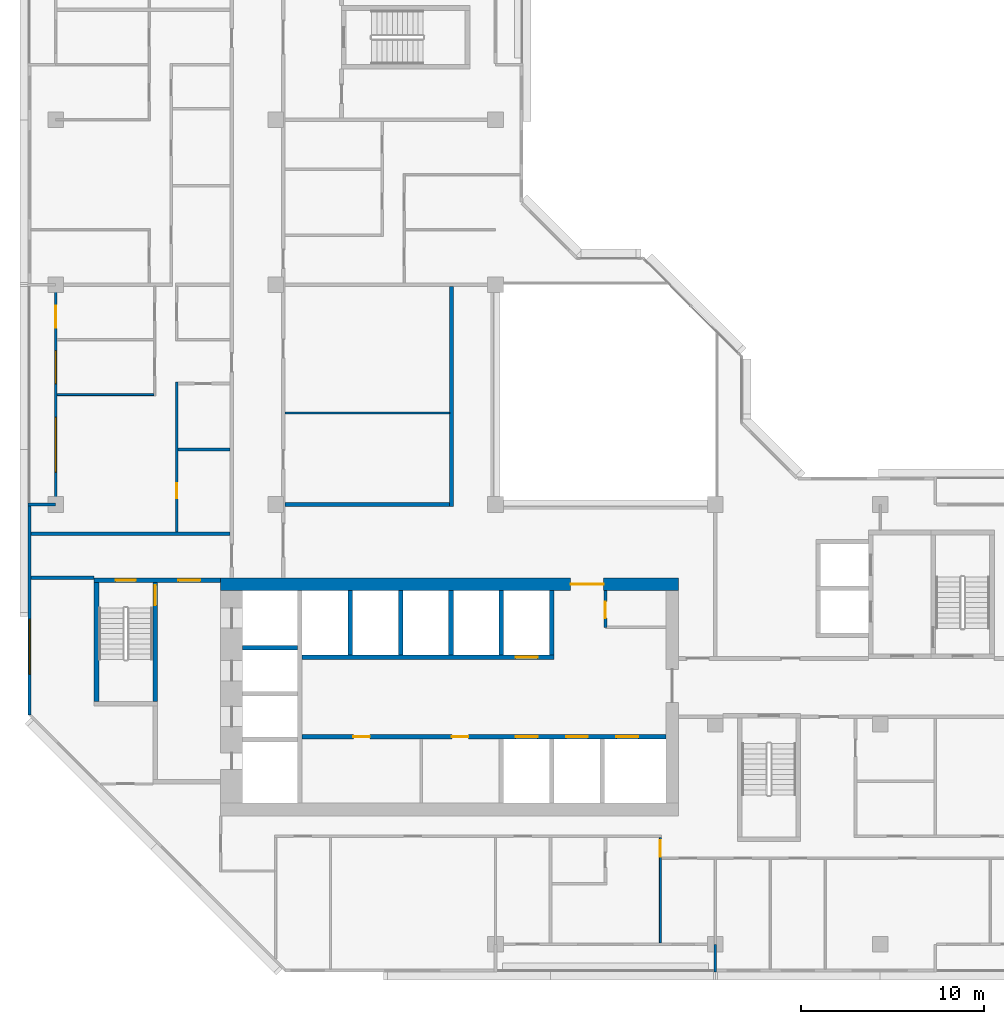
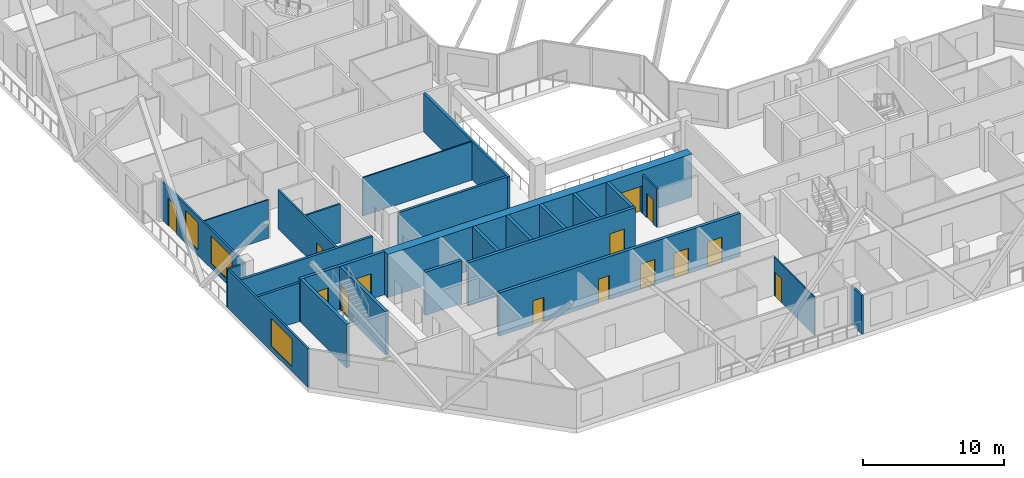
# One storey, part 5 of 14: 26 walls, 14 doors, 3 windows, 17 openings.
"""IFC4 building model written with IfcOpenShell, lengths in metres."""

from ifc_helpers import new_model, si_unit, direction, frame, frame_2d, origin, place, context, subcontext, project, spatial, rectangle, extrude, material, layer, layer_set, type_object, element, fill, save


model = new_model("IFC4")

# Units and contexts
model_context = context("Model", 3, precision=1e-05, world=origin(), true_north=direction((0.0, 1.0)))
body_context = subcontext(model_context, "Body", "Model", "MODEL_VIEW")
ifc_project = project(units=[si_unit("LENGTHUNIT", "METRE"), si_unit("AREAUNIT", "SQUARE_METRE"), si_unit("VOLUMEUNIT", "CUBIC_METRE"), si_unit("PLANEANGLEUNIT", "RADIAN"), si_unit("MASSUNIT", "GRAM", prefix="KILO")], contexts=[model_context])

# Site, building, storey
site_placement = place(None, origin())
site = spatial("IfcSite", under=ifc_project, at=site_placement, CompositionType="ELEMENT")
building_placement = place(site_placement, origin())
building = spatial("IfcBuilding", under=site, at=building_placement, Name="Chenar Terraces", CompositionType="ELEMENT")
storey_placement = place(building_placement, frame((0.0, 0.0, 234.14990234375)))
storey = spatial("IfcBuildingStorey", under=building, at=storey_placement, Name="L55", CompositionType="ELEMENT", Elevation=234.14990234375)

# Wall, opening, door
ifc_material_1 = material(Name="Gypsum board on steel studs", Category="steel")
ifc_layer_1 = layer(ifc_material_1, 0.14990234375)
ifc_layer_set_1 = layer_set([ifc_layer_1], Name="Gypsum board on steel studs")
wall_type_1 = type_object("IfcWallType", Name="Core partition 150 gypsum board", PredefinedType="PARTITIONING", material=ifc_layer_set_1)
wall_1_placement = place(storey_placement, frame((30.0, 17.300048828125, 0.0), z_axis=(0.0, 0.0, 1.0), x_axis=(0.0, 1.0, 0.0)))
wall_1 = element("IfcWall", 1, at=wall_1_placement, inside=storey, type_object=wall_type_1, Name="Core partition CP1 vestibule room west wall", PredefinedType="PARTITIONING", context=body_context, shape_type="SweptSolid", body=[
    extrude(rectangle(XDim=2.0, YDim=0.14990234375, at=frame_2d((1.0, 0.0))), origin(), (0.0, 0.0, 1.0), 3.35009765625),
])
opening_1_placement = place(wall_1_placement, frame((0.5, 0.0, 0.0)))
opening_1 = element("IfcOpeningElement", 2, at=opening_1_placement, cuts=wall_1, Name="Opening DL55-C14", PredefinedType="OPENING", context=body_context, shape_type="SweptSolid", body=[
    extrude(rectangle(XDim=0.89990234375, YDim=2.10009765625, at=frame_2d((0.449951171875, 1.050048828125))), frame((0.0, 0.0849609375, 0.0), z_axis=(0.0, -1.0, 0.0), x_axis=(1.0, 0.0, 0.0)), (0.0, 0.0, 1.0), 0.169921875),
])
ifc_material_2 = material(Name="Steel-framed fire-resisting door leaf", Category="steel")
door_type_1 = type_object("IfcDoorType", Name="Riser fire door FD60 900 x 2100", OperationType="SINGLE_SWING_LEFT", PredefinedType="DOOR", material=ifc_material_2)
door_1_placement = place(opening_1_placement, frame((0.89990234375, 0.0, 0.0), z_axis=(0.0, 0.0, 1.0), x_axis=(-1.0, 0.0, 0.0)))
door_1 = element("IfcDoor", 3, at=door_1_placement, inside=storey, type_object=door_type_1, Name="Core room door DL55-C14", OperationType="SINGLE_SWING_RIGHT", OverallHeight=2.10009765625, OverallWidth=0.89990234375, PredefinedType="DOOR", context=body_context, shape_type="SweptSolid", body=[
    extrude(rectangle(XDim=0.89990234375, YDim=2.10009765625, at=frame_2d((0.449951171875, 1.050048828125))), frame((0.0, 0.02490234375, 0.0), z_axis=(0.0, -1.0, 0.0), x_axis=(1.0, 0.0, 0.0)), (0.0, 0.0, 1.0), 0.050048828125),
])
fill(opening_1, door_1)

# Wall, openings, doors
ifc_material_3 = material(Name="Concrete C60/75", Category="concrete")
ifc_layer_2 = layer(ifc_material_3, 0.25)
ifc_layer_set_2 = layer_set([ifc_layer_2], Name="Concrete C60/75")
wall_type_2 = type_object("IfcWallType", Name="Core wall 250 Concrete C60/75", PredefinedType="SHEAR", material=ifc_layer_set_2)
wall_2_placement = place(storey_placement, frame((13.449951171875, 11.324951171875, 0.0), z_axis=(0.0, 0.0, 1.0), x_axis=(1.0, 0.0, 0.0)))
wall_2 = element("IfcWall", 4, at=wall_2_placement, inside=storey, type_object=wall_type_2, Name="Core wall SF L55", PredefinedType="SHEAR", context=body_context, shape_type="SweptSolid", body=[
    extrude(rectangle(XDim=19.85009765625, YDim=0.25, at=frame_2d((9.925048828125, 0.0))), origin(), (0.0, 0.0, 1.0), 3.75),
])
opening_2_placement = place(wall_2_placement, frame((11.64990234375, 0.0, 0.0)))
opening_2 = element("IfcOpeningElement", 5, at=opening_2_placement, cuts=wall_2, Name="Opening DL55-LD1", PredefinedType="OPENING", context=body_context, shape_type="SweptSolid", body=[
    extrude(rectangle(XDim=1.199951171875, YDim=2.199951171875, at=frame_2d((0.60009765625, 1.10009765625))), frame((0.0, 0.135009765625, 0.0), z_axis=(0.0, -1.0, 0.0), x_axis=(1.0, 0.0, 0.0)), (0.0, 0.0, 1.0), 0.27001953125),
])
opening_3_placement = place(wall_2_placement, frame((14.39990234375, 0.0, 0.0)))
opening_3 = element("IfcOpeningElement", 6, at=opening_3_placement, cuts=wall_2, Name="Opening DL55-LD2", PredefinedType="OPENING", context=body_context, shape_type="SweptSolid", body=[
    extrude(rectangle(XDim=1.199951171875, YDim=2.199951171875, at=frame_2d((0.60009765625, 1.10009765625))), frame((0.0, 0.135009765625, 0.0), z_axis=(0.0, -1.0, 0.0), x_axis=(1.0, 0.0, 0.0)), (0.0, 0.0, 1.0), 0.27001953125),
])
opening_4_placement = place(wall_2_placement, frame((17.14990234375, 0.0, 0.0)))
opening_4 = element("IfcOpeningElement", 7, at=opening_4_placement, cuts=wall_2, Name="Opening DL55-LD3", PredefinedType="OPENING", context=body_context, shape_type="SweptSolid", body=[
    extrude(rectangle(XDim=1.199951171875, YDim=2.199951171875, at=frame_2d((0.60009765625, 1.10009765625))), frame((0.0, 0.135009765625, 0.0), z_axis=(0.0, -1.0, 0.0), x_axis=(1.0, 0.0, 0.0)), (0.0, 0.0, 1.0), 0.27001953125),
])
opening_5_placement = place(wall_2_placement, frame((2.800048828125, 0.0, 0.0)))
opening_5 = element("IfcOpeningElement", 8, at=opening_5_placement, cuts=wall_2, Name="Opening DL55-C12", PredefinedType="OPENING", context=body_context, shape_type="SweptSolid", body=[
    extrude(rectangle(XDim=0.89990234375, YDim=2.10009765625, at=frame_2d((0.449951171875, 1.050048828125))), frame((0.0, 0.135009765625, 0.0), z_axis=(0.0, -1.0, 0.0), x_axis=(1.0, 0.0, 0.0)), (0.0, 0.0, 1.0), 0.27001953125),
])
opening_6_placement = place(wall_2_placement, frame((8.175048828125, 0.0, 0.0)))
opening_6 = element("IfcOpeningElement", 9, at=opening_6_placement, cuts=wall_2, Name="Opening DL55-C13", PredefinedType="OPENING", context=body_context, shape_type="SweptSolid", body=[
    extrude(rectangle(XDim=0.89990234375, YDim=2.10009765625, at=frame_2d((0.449951171875, 1.050048828125))), frame((0.0, 0.135009765625, 0.0), z_axis=(0.0, -1.0, 0.0), x_axis=(1.0, 0.0, 0.0)), (0.0, 0.0, 1.0), 0.27001953125),
])
ifc_material_4 = material(Name="Stainless steel", Category="steel")
door_type_2 = type_object("IfcDoorType", Name="Lift landing door 1200 x 2200 sliding", OperationType="DOUBLE_DOOR_SLIDING", PredefinedType="DOOR", material=ifc_material_4)
door_2_placement = place(opening_2_placement, origin())
door_2 = element("IfcDoor", 10, at=door_2_placement, inside=storey, type_object=door_type_2, Name="Landing door M1", OperationType="DOUBLE_DOOR_SLIDING", OverallHeight=2.199951171875, OverallWidth=1.199951171875, PredefinedType="DOOR", context=body_context, shape_type="SweptSolid", body=[
    extrude(rectangle(XDim=1.199951171875, YDim=2.199951171875, at=frame_2d((0.60009765625, 1.10009765625))), frame((0.0, 0.02490234375, 0.0), z_axis=(0.0, -1.0, 0.0), x_axis=(1.0, 0.0, 0.0)), (0.0, 0.0, 1.0), 0.050048828125),
])
fill(opening_2, door_2)
door_3_placement = place(opening_3_placement, origin())
door_3 = element("IfcDoor", 11, at=door_3_placement, inside=storey, type_object=door_type_2, Name="Landing door M2", OperationType="DOUBLE_DOOR_SLIDING", OverallHeight=2.199951171875, OverallWidth=1.199951171875, PredefinedType="DOOR", context=body_context, shape_type="SweptSolid", body=[
    extrude(rectangle(XDim=1.199951171875, YDim=2.199951171875, at=frame_2d((0.60009765625, 1.10009765625))), frame((0.0, 0.02490234375, 0.0), z_axis=(0.0, -1.0, 0.0), x_axis=(1.0, 0.0, 0.0)), (0.0, 0.0, 1.0), 0.050048828125),
])
fill(opening_3, door_3)
door_4_placement = place(opening_4_placement, origin())
door_4 = element("IfcDoor", 12, at=door_4_placement, inside=storey, type_object=door_type_2, Name="Landing door M3", OperationType="DOUBLE_DOOR_SLIDING", OverallHeight=2.199951171875, OverallWidth=1.199951171875, PredefinedType="DOOR", context=body_context, shape_type="SweptSolid", body=[
    extrude(rectangle(XDim=1.199951171875, YDim=2.199951171875, at=frame_2d((0.60009765625, 1.10009765625))), frame((0.0, 0.02490234375, 0.0), z_axis=(0.0, -1.0, 0.0), x_axis=(1.0, 0.0, 0.0)), (0.0, 0.0, 1.0), 0.050048828125),
])
fill(opening_4, door_4)
door_5_placement = place(opening_5_placement, frame((0.89990234375, 0.0, 0.0), z_axis=(0.0, 0.0, 1.0), x_axis=(-1.0, 0.0, 0.0)))
door_5 = element("IfcDoor", 13, at=door_5_placement, inside=storey, type_object=door_type_1, Name="Core room door DL55-C12", OperationType="SINGLE_SWING_LEFT", OverallHeight=2.10009765625, OverallWidth=0.89990234375, PredefinedType="DOOR", context=body_context, shape_type="SweptSolid", body=[
    extrude(rectangle(XDim=0.89990234375, YDim=2.10009765625, at=frame_2d((0.449951171875, 1.050048828125))), frame((0.0, 0.02490234375, 0.0), z_axis=(0.0, -1.0, 0.0), x_axis=(1.0, 0.0, 0.0)), (0.0, 0.0, 1.0), 0.050048828125),
])
fill(opening_5, door_5)
door_6_placement = place(opening_6_placement, frame((0.89990234375, 0.0, 0.0), z_axis=(0.0, 0.0, 1.0), x_axis=(-1.0, 0.0, 0.0)))
door_6 = element("IfcDoor", 14, at=door_6_placement, inside=storey, type_object=door_type_1, Name="Core room door DL55-C13", OperationType="SINGLE_SWING_LEFT", OverallHeight=2.10009765625, OverallWidth=0.89990234375, PredefinedType="DOOR", context=body_context, shape_type="SweptSolid", body=[
    extrude(rectangle(XDim=0.89990234375, YDim=2.10009765625, at=frame_2d((0.449951171875, 1.050048828125))), frame((0.0, 0.02490234375, 0.0), z_axis=(0.0, -1.0, 0.0), x_axis=(1.0, 0.0, 0.0)), (0.0, 0.0, 1.0), 0.050048828125),
])
fill(opening_6, door_6)

# Wall, opening, door
wall_3_placement = place(storey_placement, frame((13.449951171875, 15.675048828125, 0.0), z_axis=(0.0, 0.0, 1.0), x_axis=(1.0, 0.0, 0.0)))
wall_3 = element("IfcWall", 15, at=wall_3_placement, inside=storey, type_object=wall_type_2, Name="Core wall NF L55", PredefinedType="SHEAR", context=body_context, shape_type="SweptSolid", body=[
    extrude(rectangle(XDim=13.75, YDim=0.25, at=frame_2d((6.875, 0.0))), origin(), (0.0, 0.0, 1.0), 3.75),
])
opening_7_placement = place(wall_3_placement, frame((11.64990234375, 0.0, 0.0)))
opening_7 = element("IfcOpeningElement", 16, at=opening_7_placement, cuts=wall_3, Name="Opening DL55-LD4", PredefinedType="OPENING", context=body_context, shape_type="SweptSolid", body=[
    extrude(rectangle(XDim=1.199951171875, YDim=2.199951171875, at=frame_2d((0.60009765625, 1.10009765625))), frame((0.0, 0.135009765625, 0.0), z_axis=(0.0, -1.0, 0.0), x_axis=(1.0, 0.0, 0.0)), (0.0, 0.0, 1.0), 0.27001953125),
])
door_7_placement = place(opening_7_placement, origin())
door_7 = element("IfcDoor", 17, at=door_7_placement, inside=storey, type_object=door_type_2, Name="Landing door M4", OperationType="DOUBLE_DOOR_SLIDING", OverallHeight=2.199951171875, OverallWidth=1.199951171875, PredefinedType="DOOR", context=body_context, shape_type="SweptSolid", body=[
    extrude(rectangle(XDim=1.199951171875, YDim=2.199951171875, at=frame_2d((0.60009765625, 1.10009765625))), frame((0.0, 0.02490234375, 0.0), z_axis=(0.0, -1.0, 0.0), x_axis=(1.0, 0.0, 0.0)), (0.0, 0.0, 1.0), 0.050048828125),
])
fill(opening_7, door_7)

# Walls
wall_4_placement = place(storey_placement, frame((10.199951171875, 16.175048828125, 0.0), z_axis=(0.0, 0.0, 1.0), x_axis=(1.0, 0.0, 0.0)))
element("IfcWall", 18, at=wall_4_placement, inside=storey, type_object=wall_type_2, Name="Core wall HW2 L55", PredefinedType="SHEAR", context=body_context, shape_type="SweptSolid", body=[
    extrude(rectangle(XDim=3.0, YDim=0.25, at=frame_2d((1.5, 0.0))), origin(), (0.0, 0.0, 1.0), 3.75),
])
for number, where, z_axis, x_axis, name in (
    (19, (16.074951171875, 15.800048828125, 0.0), (0.0, 0.0, 1.0), (0.0, 1.0, 0.0), "Core wall NS0 L55"),
    (20, (18.824951171875, 15.800048828125, 0.0), (0.0, 0.0, 1.0), (0.0, 1.0, 0.0), "Core wall NS1 L55"),
    (21, (21.574951171875, 15.800048828125, 0.0), (0.0, 0.0, 1.0), (0.0, 1.0, 0.0), "Core wall NS2 L55"),
    (22, (24.324951171875, 15.800048828125, 0.0), (0.0, 0.0, 1.0), (0.0, 1.0, 0.0), "Core wall NS3 L55"),
    (23, (27.074951171875, 15.800048828125, 0.0), (0.0, 0.0, 1.0), (0.0, 1.0, 0.0), "Core wall NE L55"),
):
    element("IfcWall", number, at=place(storey_placement, frame(where, z_axis=z_axis, x_axis=x_axis)), inside=storey, type_object=wall_type_2, Name=name, PredefinedType="SHEAR", context=body_context, shape_type="SweptSolid", body=[
        extrude(rectangle(XDim=3.5, YDim=0.25, at=frame_2d((1.75, 0.0))), origin(), (0.0, 0.0, 1.0), 3.75),
    ])

# Wall, openings, doors
wall_5_placement = place(storey_placement, frame((2.10009765625, 19.875, 0.0), z_axis=(0.0, 0.0, 1.0), x_axis=(1.0, 0.0, 0.0)))
wall_5 = element("IfcWall", 24, at=wall_5_placement, inside=storey, type_object=wall_type_2, Name="Core wall A_N L55", PredefinedType="SHEAR", context=body_context, shape_type="SweptSolid", body=[
    extrude(rectangle(XDim=6.89990234375, YDim=0.25, at=frame_2d((3.449951171875, 0.0))), origin(), (0.0, 0.0, 1.0), 3.75),
])
opening_8_placement = place(wall_5_placement, frame((1.175048828125, 0.0, 0.0)))
opening_8 = element("IfcOpeningElement", 25, at=opening_8_placement, cuts=wall_5, Name="Opening DL55-C5", PredefinedType="OPENING", context=body_context, shape_type="SweptSolid", body=[
    extrude(rectangle(XDim=1.10009765625, YDim=2.199951171875, at=frame_2d((0.550048828125, 1.10009765625))), frame((0.0, 0.135009765625, 0.0), z_axis=(0.0, -1.0, 0.0), x_axis=(1.0, 0.0, 0.0)), (0.0, 0.0, 1.0), 0.27001953125),
])
opening_9_placement = place(wall_5_placement, frame((4.60009765625, 0.0, 0.0)))
opening_9 = element("IfcOpeningElement", 26, at=opening_9_placement, cuts=wall_5, Name="Opening DL55-C6", PredefinedType="OPENING", context=body_context, shape_type="SweptSolid", body=[
    extrude(rectangle(XDim=1.199951171875, YDim=2.199951171875, at=frame_2d((0.60009765625, 1.10009765625))), frame((0.0, 0.135009765625, 0.0), z_axis=(0.0, -1.0, 0.0), x_axis=(1.0, 0.0, 0.0)), (0.0, 0.0, 1.0), 0.27001953125),
])
ifc_material_5 = material(Name="Steel-framed fire-resisting door leaf", Category="steel")
door_type_3 = type_object("IfcDoorType", Name="Lobby fire door FD60 1200 x 2200", OperationType="SINGLE_SWING_LEFT", PredefinedType="DOOR", material=ifc_material_5)
door_8_placement = place(opening_9_placement, frame((1.199951171875, 0.0, 0.0), z_axis=(0.0, 0.0, 1.0), x_axis=(-1.0, 0.0, 0.0)))
door_8 = element("IfcDoor", 27, at=door_8_placement, inside=storey, type_object=door_type_3, Name="Core door DL55-C6", OperationType="SINGLE_SWING_LEFT", OverallHeight=2.199951171875, OverallWidth=1.199951171875, PredefinedType="DOOR", context=body_context, shape_type="SweptSolid", body=[
    extrude(rectangle(XDim=1.199951171875, YDim=2.199951171875, at=frame_2d((0.60009765625, 1.10009765625))), frame((0.0, 0.02490234375, 0.0), z_axis=(0.0, -1.0, 0.0), x_axis=(1.0, 0.0, 0.0)), (0.0, 0.0, 1.0), 0.050048828125),
])
fill(opening_9, door_8)
ifc_material_6 = material(Name="Steel-framed fire-resisting door leaf", Category="steel")
door_type_4 = type_object("IfcDoorType", Name="Stair fire door FD60 1100 x 2200", OperationType="SINGLE_SWING_LEFT", PredefinedType="DOOR", material=ifc_material_6)
door_9_placement = place(opening_8_placement, origin())
door_9 = element("IfcDoor", 28, at=door_9_placement, inside=storey, type_object=door_type_4, Name="Stair door DL55-C5", OperationType="SINGLE_SWING_LEFT", OverallHeight=2.199951171875, OverallWidth=1.10009765625, PredefinedType="DOOR", context=body_context, shape_type="SweptSolid", body=[
    extrude(rectangle(XDim=1.10009765625, YDim=2.199951171875, at=frame_2d((0.550048828125, 1.10009765625))), frame((0.0, 0.02490234375, 0.0), z_axis=(0.0, -1.0, 0.0), x_axis=(1.0, 0.0, 0.0)), (0.0, 0.0, 1.0), 0.050048828125),
])
fill(opening_8, door_9)

# Wall
wall_6_placement = place(storey_placement, frame((2.22509765625, 13.25, 0.0), z_axis=(0.0, 0.0, 1.0), x_axis=(0.0, 1.0, 0.0)))
element("IfcWall", 29, at=wall_6_placement, inside=storey, type_object=wall_type_2, Name="Core wall ST1_W L55", PredefinedType="SHEAR", context=body_context, shape_type="SweptSolid", body=[
    extrude(rectangle(XDim=6.5, YDim=0.25, at=frame_2d((3.25, 0.0))), origin(), (0.0, 0.0, 1.0), 3.75),
])

# Wall, opening, door
wall_7_placement = place(storey_placement, frame((5.425048828125, 13.25, 0.0), z_axis=(0.0, 0.0, 1.0), x_axis=(0.0, 1.0, 0.0)))
wall_7 = element("IfcWall", 30, at=wall_7_placement, inside=storey, type_object=wall_type_2, Name="Core wall ST1_E L55", PredefinedType="SHEAR", context=body_context, shape_type="SweptSolid", body=[
    extrude(rectangle(XDim=6.5, YDim=0.25, at=frame_2d((3.25, 0.0))), origin(), (0.0, 0.0, 1.0), 3.75),
])
opening_10_placement = place(wall_7_placement, frame((5.25, 0.0, 0.0)))
opening_10 = element("IfcOpeningElement", 31, at=opening_10_placement, cuts=wall_7, Name="Opening DL55-C3", PredefinedType="OPENING", context=body_context, shape_type="SweptSolid", body=[
    extrude(rectangle(XDim=1.10009765625, YDim=2.199951171875, at=frame_2d((0.550048828125, 1.10009765625))), frame((0.0, 0.135009765625, 0.0), z_axis=(0.0, -1.0, 0.0), x_axis=(1.0, 0.0, 0.0)), (0.0, 0.0, 1.0), 0.27001953125),
])
door_10_placement = place(opening_10_placement, origin())
door_10 = element("IfcDoor", 32, at=door_10_placement, inside=storey, type_object=door_type_4, Name="Stair door DL55-C3", OperationType="SINGLE_SWING_RIGHT", OverallHeight=2.199951171875, OverallWidth=1.10009765625, PredefinedType="DOOR", context=body_context, shape_type="SweptSolid", body=[
    extrude(rectangle(XDim=1.10009765625, YDim=2.199951171875, at=frame_2d((0.550048828125, 1.10009765625))), frame((0.0, 0.02490234375, 0.0), z_axis=(0.0, -1.0, 0.0), x_axis=(1.0, 0.0, 0.0)), (0.0, 0.0, 1.0), 0.050048828125),
])
fill(opening_10, door_10)

ifc_material_7 = material(Name="Concrete C60/75", Category="concrete")
ifc_layer_3 = layer(ifc_material_7, 0.699951171875)
ifc_layer_set_3 = layer_set([ifc_layer_3], Name="Concrete C60/75")
wall_type_3 = type_object("IfcWallType", Name="Core wall 700 Concrete C60/75", PredefinedType="SHEAR", material=ifc_layer_set_3)
wall_8_placement = place(storey_placement, frame((9.0, 19.64990234375, 0.0), z_axis=(0.0, 0.0, 1.0), x_axis=(1.0, 0.0, 0.0)))
wall_8 = element("IfcWall", 33, at=wall_8_placement, inside=storey, type_object=wall_type_3, Name="Core wall N L55", PredefinedType="SHEAR", context=body_context, shape_type="SweptSolid", body=[
    extrude(rectangle(XDim=25.0, YDim=0.699951171875, at=frame_2d((12.5, 0.0))), origin(), (0.0, 0.0, 1.0), 3.75),
])
opening_11_placement = place(wall_8_placement, frame((19.10009765625, 0.0, 0.0)))
opening_11 = element("IfcOpeningElement", 34, at=opening_11_placement, cuts=wall_8, Name="Opening DL55-C2", PredefinedType="OPENING", context=body_context, shape_type="SweptSolid", body=[
    extrude(rectangle(XDim=1.800048828125, YDim=2.39990234375, at=frame_2d((0.89990234375, 1.199951171875))), frame((0.0, 0.35986328125, 0.0), z_axis=(0.0, -1.0, 0.0), x_axis=(1.0, 0.0, 0.0)), (0.0, 0.0, 1.0), 0.719970703125),
])
ifc_material_8 = material(Name="Steel-framed fire-resisting door leaf", Category="steel")
door_type_5 = type_object("IfcDoorType", Name="Core entrance double fire door FD60 1800 x 2400", OperationType="DOUBLE_DOOR_SINGLE_SWING", PredefinedType="DOOR", material=ifc_material_8)
door_11_placement = place(opening_11_placement, frame((1.800048828125, 0.0, 0.0), z_axis=(0.0, 0.0, 1.0), x_axis=(-1.0, 0.0, 0.0)))
door_11 = element("IfcDoor", 35, at=door_11_placement, inside=storey, type_object=door_type_5, Name="Core door DL55-C2", OperationType="DOUBLE_DOOR_SINGLE_SWING", OverallHeight=2.39990234375, OverallWidth=1.800048828125, PredefinedType="DOOR", context=body_context, shape_type="SweptSolid", body=[
    extrude(rectangle(XDim=1.800048828125, YDim=2.39990234375, at=frame_2d((0.89990234375, 1.199951171875))), frame((0.0, 0.02490234375, 0.0), z_axis=(0.0, -1.0, 0.0), x_axis=(1.0, 0.0, 0.0)), (0.0, 0.0, 1.0), 0.050048828125),
])
fill(opening_11, door_11)

# Walls
ifc_material_9 = material(Name="Gypsum board on steel studs with fire boards", Category="steel")
ifc_layer_4 = layer(ifc_material_9, 0.199951171875)
ifc_layer_set_4 = layer_set([ifc_layer_4], Name="Gypsum board on steel studs with fire boards")
wall_type_4 = type_object("IfcWallType", Name="Corridor wall 200", PredefinedType="PARTITIONING", material=ifc_layer_set_4)
wall_9_placement = place(storey_placement, frame((-1.35009765625, 20.0, 0.0), z_axis=(0.0, 0.0, 1.0), x_axis=(1.0, 0.0, 0.0)))
element("IfcWall", 36, at=wall_9_placement, inside=storey, type_object=wall_type_4, Name="Partition L55-001", PredefinedType="PARTITIONING", context=body_context, shape_type="SweptSolid", body=[
    extrude(rectangle(XDim=3.4501953125, YDim=0.199951171875, at=frame_2d((1.72509765625, 0.0))), origin(), (0.0, 0.0, 1.0), 3.35009765625),
])
wall_10_placement = place(storey_placement, frame((-1.35009765625, 22.39990234375, 0.0), z_axis=(0.0, 0.0, 1.0), x_axis=(1.0, 0.0, 0.0)))
element("IfcWall", 37, at=wall_10_placement, inside=storey, type_object=wall_type_4, Name="Partition L55-002", PredefinedType="PARTITIONING", context=body_context, shape_type="SweptSolid", body=[
    extrude(rectangle(XDim=10.85009765625, YDim=0.199951171875, at=frame_2d((5.425048828125, 0.0))), origin(), (0.0, 0.0, 1.0), 3.35009765625),
])
wall_11_placement = place(storey_placement, frame((12.52490234375, 24.0, 0.0), z_axis=(0.0, 0.0, 1.0), x_axis=(1.0, 0.0, 0.0)))
element("IfcWall", 38, at=wall_11_placement, inside=storey, type_object=wall_type_4, Name="Partition L55-037", PredefinedType="PARTITIONING", context=body_context, shape_type="SweptSolid", body=[
    extrude(rectangle(XDim=8.97509765625, YDim=0.199951171875, at=frame_2d((4.487548828125, 0.0))), origin(), (0.0, 0.0, 1.0), 3.35009765625),
])
wall_12_placement = place(storey_placement, frame((21.60009765625, 23.89990234375, 0.0), z_axis=(0.0, 0.0, 1.0), x_axis=(0.0, 1.0, 0.0)))
element("IfcWall", 39, at=wall_12_placement, inside=storey, type_object=wall_type_4, Name="Partition L55-058", PredefinedType="PARTITIONING", context=body_context, shape_type="SweptSolid", body=[
    extrude(rectangle(XDim=12.0, YDim=0.199951171875, at=frame_2d((6.0, 0.0))), origin(), (0.0, 0.0, 1.0), 3.35009765625),
])

# Wall, opening, window
ifc_material_10 = material(Name="Aluminium framed glazing", Category="aluminium")
ifc_layer_5 = layer(ifc_material_10, 0.14990234375)
ifc_layer_set_5 = layer_set([ifc_layer_5], Name="Aluminium framed glazing")
wall_type_5 = type_object("IfcWallType", Name="Glazed flush facade wall 150", PredefinedType="SOLIDWALL", material=ifc_layer_set_5)
wall_13_placement = place(storey_placement, frame((-1.425048828125, 23.925048828125, 0.0), z_axis=(0.0, 0.0, 1.0), x_axis=(0.0, -1.0, 0.0)))
wall_13 = element("IfcWall", 40, at=wall_13_placement, inside=storey, type_object=wall_type_5, Name="Glazed flush facade wall", PredefinedType="SOLIDWALL", context=body_context, shape_type="SweptSolid", body=[
    extrude(rectangle(XDim=11.425048828125, YDim=0.14990234375, at=frame_2d((5.71240234375, 0.0))), origin(), (0.0, 0.0, 1.0), 3.35009765625),
])
opening_12_placement = place(wall_13_placement, frame((6.175048828125, 0.0, 0.449951171875)))
opening_12 = element("IfcOpeningElement", 41, at=opening_12_placement, cuts=wall_13, Name="Opening W300x240", PredefinedType="OPENING", context=body_context, shape_type="SweptSolid", body=[
    extrude(rectangle(XDim=3.0, YDim=2.39990234375, at=frame_2d((1.5, 1.199951171875))), frame((0.0, 0.0849609375, 0.0), z_axis=(0.0, -1.0, 0.0), x_axis=(1.0, 0.0, 0.0)), (0.0, 0.0, 1.0), 0.169921875),
])
ifc_material_11 = material(Name="Low emissivity double glazing, aluminium frame", Category="aluminium")
window_type_1 = type_object("IfcWindowType", Name="Fixed light 3000 x 2400", PartitioningType="SINGLE_PANEL", PredefinedType="WINDOW", material=ifc_material_11)
window_1_placement = place(opening_12_placement, origin())
window_1 = element("IfcWindow", 42, at=window_1_placement, inside=storey, type_object=window_type_1, Name="Window", OverallHeight=2.39990234375, OverallWidth=3.0, PartitioningType="SINGLE_PANEL", PredefinedType="WINDOW", context=body_context, shape_type="SweptSolid", body=[
    extrude(rectangle(XDim=3.0, YDim=2.39990234375, at=frame_2d((1.5, 1.199951171875))), frame((0.0, 0.030029296875, 0.0), z_axis=(0.0, -1.0, 0.0), x_axis=(1.0, 0.0, 0.0)), (0.0, 0.0, 1.0), 0.06005859375),
])
fill(opening_12, window_1)

# Wall, openings, windows, door
ifc_material_12 = material(Name="Aluminium framed glazing", Category="aluminium")
ifc_layer_6 = layer(ifc_material_12, 0.14990234375)
ifc_layer_set_6 = layer_set([ifc_layer_6], Name="Aluminium framed glazing")
wall_type_6 = type_object("IfcWallType", Name="Glazed loggia back wall 150", PredefinedType="SOLIDWALL", material=ifc_layer_set_6)
wall_14_placement = place(storey_placement, frame((0.0, 35.925048828125, 0.0), z_axis=(0.0, 0.0, 1.0), x_axis=(0.0, -1.0, 0.0)))
wall_14 = element("IfcWall", 43, at=wall_14_placement, inside=storey, type_object=wall_type_6, Name="Glazed loggia back wall", PredefinedType="SOLIDWALL", context=body_context, shape_type="SweptSolid", body=[
    extrude(rectangle(XDim=11.85009765625, YDim=0.14990234375, at=frame_2d((5.925048828125, 0.0))), origin(), (0.0, 0.0, 1.0), 3.35009765625),
])
opening_13_placement = place(wall_14_placement, frame((1.08740234375, 0.0, 0.0)))
opening_13 = element("IfcOpeningElement", 44, at=opening_13_placement, cuts=wall_14, Name="Opening DL55-G5", PredefinedType="OPENING", context=body_context, shape_type="SweptSolid", body=[
    extrude(rectangle(XDim=1.199951171875, YDim=2.39990234375, at=frame_2d((0.60009765625, 1.199951171875))), frame((0.0, 0.0849609375, 0.0), z_axis=(0.0, -1.0, 0.0), x_axis=(1.0, 0.0, 0.0)), (0.0, 0.0, 1.0), 0.169921875),
])
opening_14_placement = place(wall_14_placement, frame((3.52490234375, 0.0, 0.449951171875)))
opening_14 = element("IfcOpeningElement", 45, at=opening_14_placement, cuts=wall_14, Name="Opening W180x240", PredefinedType="OPENING", context=body_context, shape_type="SweptSolid", body=[
    extrude(rectangle(XDim=1.800048828125, YDim=2.39990234375, at=frame_2d((0.89990234375, 1.199951171875))), frame((0.0, 0.0849609375, 0.0), z_axis=(0.0, -1.0, 0.0), x_axis=(1.0, 0.0, 0.0)), (0.0, 0.0, 1.0), 0.169921875),
])
opening_15_placement = place(wall_14_placement, frame((7.16259765625, 0.0, 0.449951171875)))
opening_15 = element("IfcOpeningElement", 46, at=opening_15_placement, cuts=wall_14, Name="Opening W300x240", PredefinedType="OPENING", context=body_context, shape_type="SweptSolid", body=[
    extrude(rectangle(XDim=3.0, YDim=2.39990234375, at=frame_2d((1.5, 1.199951171875))), frame((0.0, 0.0849609375, 0.0), z_axis=(0.0, -1.0, 0.0), x_axis=(1.0, 0.0, 0.0)), (0.0, 0.0, 1.0), 0.169921875),
])
ifc_material_13 = material(Name="Low emissivity double glazing, aluminium frame", Category="aluminium")
window_type_2 = type_object("IfcWindowType", Name="Fixed light 1800 x 2400", PartitioningType="SINGLE_PANEL", PredefinedType="WINDOW", material=ifc_material_13)
window_2_placement = place(opening_14_placement, origin())
window_2 = element("IfcWindow", 47, at=window_2_placement, inside=storey, type_object=window_type_2, Name="Window", OverallHeight=2.39990234375, OverallWidth=1.800048828125, PartitioningType="SINGLE_PANEL", PredefinedType="WINDOW", context=body_context, shape_type="SweptSolid", body=[
    extrude(rectangle(XDim=1.800048828125, YDim=2.39990234375, at=frame_2d((0.89990234375, 1.199951171875))), frame((0.0, 0.030029296875, 0.0), z_axis=(0.0, -1.0, 0.0), x_axis=(1.0, 0.0, 0.0)), (0.0, 0.0, 1.0), 0.06005859375),
])
fill(opening_14, window_2)
window_3_placement = place(opening_15_placement, origin())
window_3 = element("IfcWindow", 48, at=window_3_placement, inside=storey, type_object=window_type_1, Name="Window", OverallHeight=2.39990234375, OverallWidth=3.0, PartitioningType="SINGLE_PANEL", PredefinedType="WINDOW", context=body_context, shape_type="SweptSolid", body=[
    extrude(rectangle(XDim=3.0, YDim=2.39990234375, at=frame_2d((1.5, 1.199951171875))), frame((0.0, 0.030029296875, 0.0), z_axis=(0.0, -1.0, 0.0), x_axis=(1.0, 0.0, 0.0)), (0.0, 0.0, 1.0), 0.06005859375),
])
fill(opening_15, window_3)
ifc_material_14 = material(Name="Low emissivity double glazing, aluminium frame", Category="aluminium")
door_type_6 = type_object("IfcDoorType", Name="Loggia glazed double door 1200 x 2400", OperationType="DOUBLE_DOOR_SINGLE_SWING", PredefinedType="DOOR", material=ifc_material_14)
door_12_placement = place(opening_13_placement, frame((1.199951171875, 0.0, 0.0), z_axis=(0.0, 0.0, 1.0), x_axis=(-1.0, 0.0, 0.0)))
door_12 = element("IfcDoor", 49, at=door_12_placement, inside=storey, type_object=door_type_6, Name="Loggia glazed door", OperationType="DOUBLE_DOOR_SINGLE_SWING", OverallHeight=2.39990234375, OverallWidth=1.199951171875, PredefinedType="DOOR", context=body_context, shape_type="SweptSolid", body=[
    extrude(rectangle(XDim=1.199951171875, YDim=2.39990234375, at=frame_2d((0.60009765625, 1.199951171875))), frame((0.0, 0.02490234375, 0.0), z_axis=(0.0, -1.0, 0.0), x_axis=(1.0, 0.0, 0.0)), (0.0, 0.0, 1.0), 0.050048828125),
])
fill(opening_13, door_12)

# Walls
ifc_material_15 = material(Name="Gypsum board on steel studs", Category="steel")
ifc_layer_7 = layer(ifc_material_15, 0.10009765625)
ifc_layer_set_7 = layer_set([ifc_layer_7], Name="Gypsum board on steel studs")
wall_type_7 = type_object("IfcWallType", Name="Gypsum partition 100", PredefinedType="PARTITIONING", material=ifc_layer_set_7)
wall_15_placement = place(storey_placement, frame((0.073974609375, 30.0, 0.0), z_axis=(0.0, 0.0, 1.0), x_axis=(1.0, 0.0, 0.0)))
element("IfcWall", 50, at=wall_15_placement, inside=storey, type_object=wall_type_7, Name="Partition L55-007", PredefinedType="PARTITIONING", context=body_context, shape_type="SweptSolid", body=[
    extrude(rectangle(XDim=5.276123046875, YDim=0.10009765625, at=frame_2d((2.63818359375, 0.0))), origin(), (0.0, 0.0, 1.0), 3.35009765625),
])
wall_16_placement = place(storey_placement, frame((12.52490234375, 29.0, 0.0), z_axis=(0.0, 0.0, 1.0), x_axis=(1.0, 0.0, 0.0)))
element("IfcWall", 51, at=wall_16_placement, inside=storey, type_object=wall_type_7, Name="Partition L55-038", PredefinedType="PARTITIONING", context=body_context, shape_type="SweptSolid", body=[
    extrude(rectangle(XDim=8.97509765625, YDim=0.10009765625, at=frame_2d((4.487548828125, 0.0))), origin(), (0.0, 0.0, 1.0), 3.35009765625),
])

# Wall, opening, door
wall_17_placement = place(storey_placement, frame((33.0, 0.073974609375, 0.0), z_axis=(0.0, 0.0, 1.0), x_axis=(0.0, 1.0, 0.0)))
wall_17 = element("IfcWall", 52, at=wall_17_placement, inside=storey, type_object=wall_type_7, Name="Partition L55-063", PredefinedType="PARTITIONING", context=body_context, shape_type="SweptSolid", body=[
    extrude(rectangle(XDim=5.7509765625, YDim=0.10009765625, at=frame_2d((2.87548828125, 0.0))), origin(), (0.0, 0.0, 1.0), 3.35009765625),
])
opening_16_placement = place(wall_17_placement, frame((4.700927734375, 0.0, 0.0)))
opening_16 = element("IfcOpeningElement", 53, at=opening_16_placement, cuts=wall_17, Name="Opening DL55-51", PredefinedType="OPENING", context=body_context, shape_type="SweptSolid", body=[
    extrude(rectangle(XDim=0.89990234375, YDim=2.10009765625, at=frame_2d((0.449951171875, 1.050048828125))), frame((0.0, 0.06005859375, 0.0), z_axis=(0.0, -1.0, 0.0), x_axis=(1.0, 0.0, 0.0)), (0.0, 0.0, 1.0), 0.1201171875),
])
ifc_material_16 = material(Name="Veneered timber door leaf", Category="wood")
door_type_7 = type_object("IfcDoorType", Name="Door 900 x 2100", OperationType="SINGLE_SWING_LEFT", PredefinedType="DOOR", material=ifc_material_16)
door_13_placement = place(opening_16_placement, origin())
door_13 = element("IfcDoor", 54, at=door_13_placement, inside=storey, type_object=door_type_7, Name="Door DL55-51", OperationType="SINGLE_SWING_RIGHT", OverallHeight=2.10009765625, OverallWidth=0.89990234375, PredefinedType="DOOR", context=body_context, shape_type="SweptSolid", body=[
    extrude(rectangle(XDim=0.89990234375, YDim=2.10009765625, at=frame_2d((0.449951171875, 1.050048828125))), frame((0.0, 0.02490234375, 0.0), z_axis=(0.0, -1.0, 0.0), x_axis=(1.0, 0.0, 0.0)), (0.0, 0.0, 1.0), 0.050048828125),
])
fill(opening_16, door_13)

# Walls
ifc_material_17 = material(Name="Terracotta cladding on insulated backing", Category="masonry")
ifc_layer_8 = layer(ifc_material_17, 0.14990234375)
ifc_layer_set_8 = layer_set([ifc_layer_8], Name="Terracotta cladding on insulated backing")
wall_type_8 = type_object("IfcWallType", Name="Loggia return wall 150", PredefinedType="SOLIDWALL", material=ifc_layer_set_8)
for number, where, z_axis, x_axis, name in (
    (55, (-1.5, 24.0, 0.0), (0.0, 0.0, 1.0), (1.0, 0.0, 0.0), "Loggia return wall"),
    (56, (36.0, -1.5, 0.0), (0.0, 0.0, 1.0), (0.0, 1.0, 0.0), "Loggia return wall"),
):
    element("IfcWall", number, at=place(storey_placement, frame(where, z_axis=z_axis, x_axis=x_axis)), inside=storey, type_object=wall_type_8, Name=name, PredefinedType="SOLIDWALL", context=body_context, shape_type="SweptSolid", body=[
        extrude(rectangle(XDim=1.5, YDim=0.14990234375, at=frame_2d((0.75, 0.0))), origin(), (0.0, 0.0, 1.0), 3.35009765625),
    ])

# Wall, opening, door
ifc_material_18 = material(Name="Moisture-resistant gypsum board on steel studs", Category="steel")
ifc_layer_9 = layer(ifc_material_18, 0.14990234375)
ifc_layer_set_9 = layer_set([ifc_layer_9], Name="Moisture-resistant gypsum board on steel studs")
wall_type_9 = type_object("IfcWallType", Name="Wet-room partition 150", PredefinedType="PARTITIONING", material=ifc_layer_set_9)
wall_18_placement = place(storey_placement, frame((6.60009765625, 22.5, 0.0), z_axis=(0.0, 0.0, 1.0), x_axis=(0.0, 1.0, 0.0)))
wall_18 = element("IfcWall", 57, at=wall_18_placement, inside=storey, type_object=wall_type_9, Name="Partition L55-026", PredefinedType="PARTITIONING", context=body_context, shape_type="SweptSolid", body=[
    extrude(rectangle(XDim=8.175048828125, YDim=0.14990234375, at=frame_2d((4.08740234375, 0.0))), origin(), (0.0, 0.0, 1.0), 3.35009765625),
])
opening_17_placement = place(wall_18_placement, frame((1.85009765625, 0.0, 0.0)))
opening_17 = element("IfcOpeningElement", 58, at=opening_17_placement, cuts=wall_18, Name="Opening DL55-62", PredefinedType="OPENING", context=body_context, shape_type="SweptSolid", body=[
    extrude(rectangle(XDim=0.800048828125, YDim=2.10009765625, at=frame_2d((0.39990234375, 1.050048828125))), frame((0.0, 0.0849609375, 0.0), z_axis=(0.0, -1.0, 0.0), x_axis=(1.0, 0.0, 0.0)), (0.0, 0.0, 1.0), 0.169921875),
])
ifc_material_19 = material(Name="Veneered timber door leaf", Category="wood")
door_type_8 = type_object("IfcDoorType", Name="Door 800 x 2100", OperationType="SINGLE_SWING_LEFT", PredefinedType="DOOR", material=ifc_material_19)
door_14_placement = place(opening_17_placement, frame((0.800048828125, 0.0, 0.0), z_axis=(0.0, 0.0, 1.0), x_axis=(-1.0, 0.0, 0.0)))
door_14 = element("IfcDoor", 59, at=door_14_placement, inside=storey, type_object=door_type_8, Name="Door DL55-62", OperationType="SINGLE_SWING_LEFT", OverallHeight=2.10009765625, OverallWidth=0.800048828125, PredefinedType="DOOR", context=body_context, shape_type="SweptSolid", body=[
    extrude(rectangle(XDim=0.800048828125, YDim=2.10009765625, at=frame_2d((0.39990234375, 1.050048828125))), frame((0.0, 0.02490234375, 0.0), z_axis=(0.0, -1.0, 0.0), x_axis=(1.0, 0.0, 0.0)), (0.0, 0.0, 1.0), 0.050048828125),
])
fill(opening_17, door_14)

# Wall
wall_19_placement = place(storey_placement, frame((6.675048828125, 27.0, 0.0), z_axis=(0.0, 0.0, 1.0), x_axis=(1.0, 0.0, 0.0)))
element("IfcWall", 60, at=wall_19_placement, inside=storey, type_object=wall_type_9, Name="Partition L55-029", PredefinedType="PARTITIONING", context=body_context, shape_type="SweptSolid", body=[
    extrude(rectangle(XDim=2.824951171875, YDim=0.14990234375, at=frame_2d((1.41259765625, 0.0))), origin(), (0.0, 0.0, 1.0), 3.35009765625),
])

save(model, "model.ifc")
